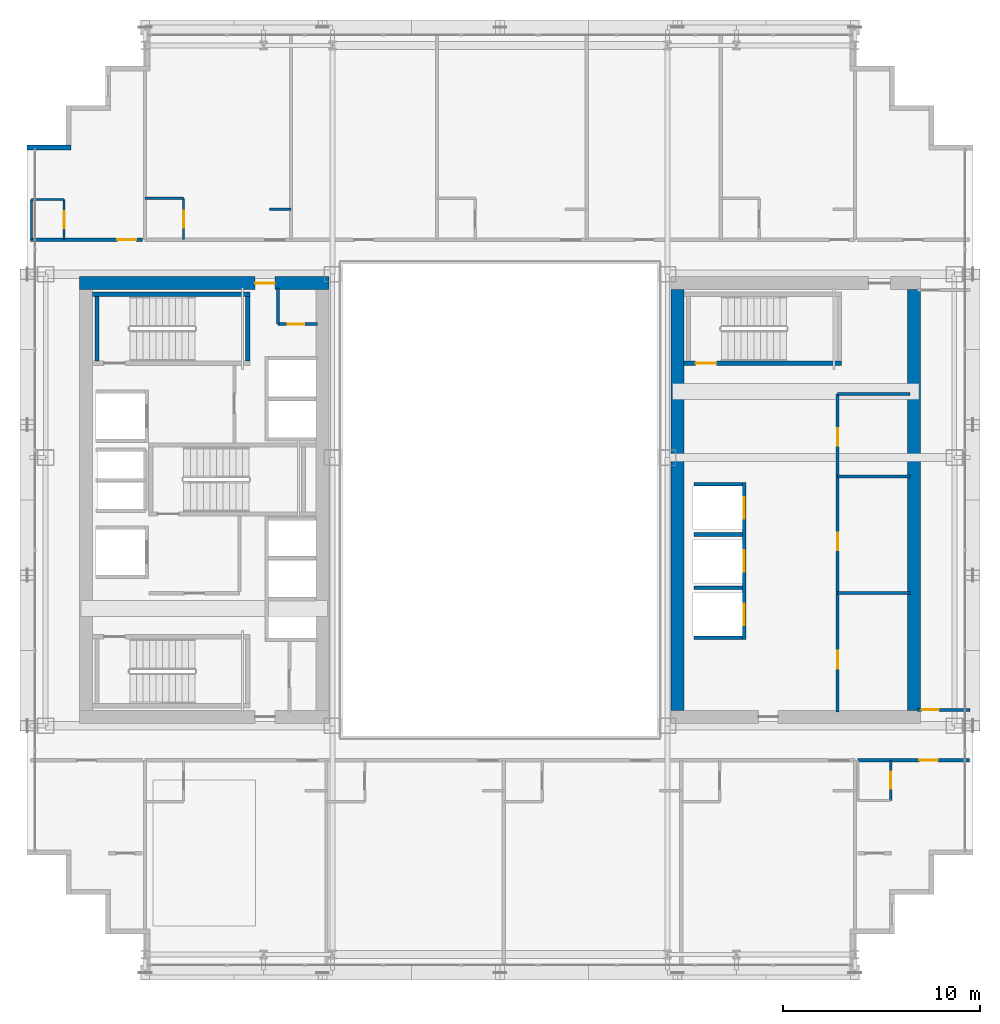
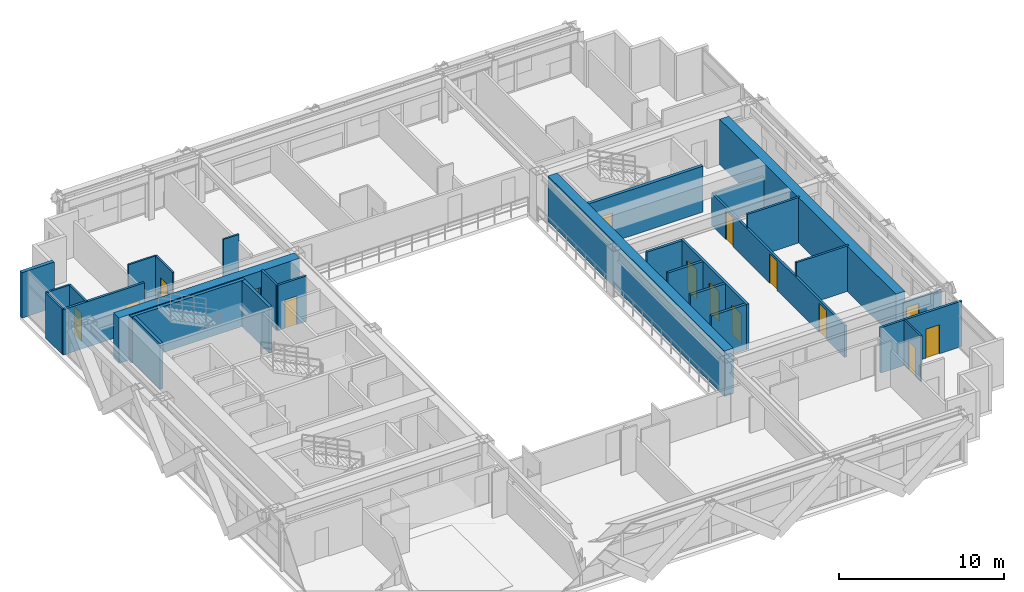
# One storey, part 29 of 35: 29 walls, 15 doors, 15 openings.
"""IFC4 building model written with IfcOpenShell, lengths in metres."""

from ifc_helpers import new_model, si_unit, direction, frame, frame_2d, origin, place, context, subcontext, project, spatial, rectangle, extrude, source, transform, mapped, material, layer, layer_set, type_object, element, fill, save


model = new_model("IFC4")

# Units and contexts
model_context = context("Model", 3, precision=1e-05, world=origin(), true_north=direction((0.0, 1.0)))
body_context = subcontext(model_context, "Body", "Model", "MODEL_VIEW")
ifc_project = project(units=[si_unit("LENGTHUNIT", "METRE"), si_unit("AREAUNIT", "SQUARE_METRE"), si_unit("VOLUMEUNIT", "CUBIC_METRE"), si_unit("PLANEANGLEUNIT", "RADIAN"), si_unit("MASSUNIT", "GRAM", prefix="KILO")], contexts=[model_context])

# Site, building, storey
site_placement = place(None, origin())
site = spatial("IfcSite", under=ifc_project, at=site_placement, CompositionType="ELEMENT")
building_placement = place(site_placement, origin())
building = spatial("IfcBuilding", under=site, at=building_placement, Name="Ocotamira Hotel", CompositionType="ELEMENT")
storey_placement = place(building_placement, frame((0.0, 0.0, 115.199951171875)))
storey = spatial("IfcBuildingStorey", under=building, at=storey_placement, Name="L28", CompositionType="ELEMENT", Elevation=115.199951171875)

# Wall, opening, door
ifc_material_1 = material(Name="Concrete C60/75", Category="concrete")
ifc_layer_1 = layer(ifc_material_1, 0.64990234375)
ifc_layer_set_1 = layer_set([ifc_layer_1], Name="Concrete C60/75")
wall_type_1 = type_object("IfcWallType", Name="WL-CORE-650", PredefinedType="SHEAR", material=ifc_layer_set_1)
wall_1_placement = place(storey_placement, frame((10.675048828125, 37.0, 0.0), z_axis=(0.0, 0.0, 1.0), x_axis=(1.0, 0.0, 0.0)))
wall_1 = element("IfcWall", 1, at=wall_1_placement, inside=storey, type_object=wall_type_1, Name="L28 Shear Core Wall WCORE-N", PredefinedType="SHEAR", context=body_context, shape_type="SweptSolid", body=[
    extrude(rectangle(XDim=12.64990234375, YDim=0.64990234375, at=frame_2d((6.324951171875, 0.0))), origin(), (0.0, 0.0, 1.0), 3.360107421875),
])
opening_1_placement = place(wall_1_placement, frame((8.905029296875, 0.0, 0.0)))
opening_1 = element("IfcOpeningElement", 2, at=opening_1_placement, cuts=wall_1, Name="Opening D-FR2", PredefinedType="OPENING", context=body_context, shape_type="SweptSolid", body=[
    extrude(rectangle(XDim=1.0, YDim=2.14990234375, at=frame_2d((0.5, 1.074951171875))), frame((0.0, 0.3349609375, 0.0), z_axis=(0.0, -1.0, 0.0), x_axis=(1.0, 0.0, 0.0)), (0.0, 0.0, 1.0), 0.669921875),
])
ifc_material_2 = material(Name="Fire-rated acoustic timber-veneer door", Category="wood")
door_type_1 = type_object("IfcDoorType", Name="DR-FIRE-1000", OperationType="NOTDEFINED", PredefinedType="DOOR", material=ifc_material_2)
shared_shape_1 = source(origin(), body_context, "Body", "SweptSolid", [
    extrude(rectangle(XDim=1.0, YDim=2.14990234375, at=frame_2d((0.5, 1.074951171875))), frame((0.0, 0.02490234375, 0.0), z_axis=(0.0, -1.0, 0.0), x_axis=(1.0, 0.0, 0.0)), (0.0, 0.0, 1.0), 0.050048828125),
])
door_1_placement = place(opening_1_placement, origin())
door_1 = element("IfcDoor", 3, at=door_1_placement, inside=storey, type_object=door_type_1, Name="L28 Door ID-L28-WLOB-N-D [ID-L28-WLOB-N-D]", OperationType="SINGLE_SWING_RIGHT", OverallHeight=2.14990234375, OverallWidth=1.0, PredefinedType="DOOR", context=body_context, shape_type="MappedRepresentation", body=[
    mapped(shared_shape_1, transform((0.0, 0.0, 0.0), scale=1.0)),
])
fill(opening_1, door_1)

# Walls
for number, where, z_axis, x_axis, name in (
    (4, (41.0, 15.324951171875, 0.0), (0.0, 0.0, 1.0), (0.0, 1.0, 0.0), "L28 Shear Core Wall ECORE-W"),
    (5, (53.0, 15.324951171875, 0.0), (0.0, 0.0, 1.0), (0.0, 1.0, 0.0), "L28 Shear Core Wall ECORE-E"),
):
    element("IfcWall", number, at=place(storey_placement, frame(where, z_axis=z_axis, x_axis=x_axis)), inside=storey, type_object=wall_type_1, Name=name, PredefinedType="SHEAR", context=body_context, shape_type="SweptSolid", body=[
        extrude(rectangle(XDim=21.35009765625, YDim=0.64990234375, at=frame_2d((10.675048828125, 0.0))), origin(), (0.0, 0.0, 1.0), 3.360107421875),
    ])
ifc_material_3 = material(Name="Precast concrete C45/55", Category="concrete")
ifc_layer_2 = layer(ifc_material_3, 0.25)
ifc_layer_set_2 = layer_set([ifc_layer_2], Name="Precast concrete C45/55")
wall_type_2 = type_object("IfcWallType", Name="WL-EXT-SER-250", PredefinedType="SOLIDWALL", material=ifc_layer_set_2)
wall_2_placement = place(storey_placement, frame((10.25, 43.875, 0.0), z_axis=(0.0, 0.0, 1.0), x_axis=(-1.0, 0.0, 0.0)))
element("IfcWall", 6, at=wall_2_placement, inside=storey, type_object=wall_type_2, Name="L28 Serrated Corner Wall 18", PredefinedType="SOLIDWALL", context=body_context, shape_type="SweptSolid", body=[
    extrude(rectangle(XDim=2.25, YDim=0.25, at=frame_2d((1.125, 0.0))), origin(), (0.0, 0.0, 1.0), 3.360107421875),
])
ifc_material_4 = material(Name="Acoustic double-layer fire gypsum board partition", Category="gypsum")
ifc_layer_3 = layer(ifc_material_4, 0.159912109375)
ifc_layer_set_3 = layer_set([ifc_layer_3], Name="Acoustic double-layer fire gypsum board partition")
wall_type_3 = type_object("IfcWallType", Name="WL-FIRE-160", PredefinedType="PARTITIONING", material=ifc_layer_set_3)
wall_3_placement = place(storey_placement, frame((49.1201171875, 31.3798828125, 0.0), z_axis=(0.0, 0.0, 1.0), x_axis=(1.0, 0.0, 0.0)))
element("IfcWall", 7, at=wall_3_placement, inside=storey, type_object=wall_type_3, Name="L28 Interior Wall PW-L28-EC-FLOW-N", PredefinedType="PARTITIONING", context=body_context, shape_type="SweptSolid", body=[
    extrude(rectangle(XDim=3.679931640625, YDim=0.159912109375, at=frame_2d((1.83984375, 0.0))), origin(), (0.0, 0.0, 1.0), 2.360107421875),
])

# Wall, openings, doors
wall_4_placement = place(storey_placement, frame((49.1201171875, 15.25, 0.0), z_axis=(0.0, 0.0, 1.0), x_axis=(0.0, 1.0, 0.0)))
wall_4 = element("IfcWall", 8, at=wall_4_placement, inside=storey, type_object=wall_type_3, Name="L28 Interior Wall PW-L28-EC-FLOW-W", PredefinedType="PARTITIONING", context=body_context, shape_type="SweptSolid", body=[
    extrude(rectangle(XDim=16.1298828125, YDim=0.159912109375, at=frame_2d((8.06494140625, 0.0))), origin(), (0.0, 0.0, 1.0), 2.360107421875),
])
opening_2_placement = place(wall_4_placement, frame((2.199951171875, 0.0, 0.0)))
opening_2 = element("IfcOpeningElement", 9, at=opening_2_placement, cuts=wall_4, Name="Opening D-IN3", PredefinedType="OPENING", context=body_context, shape_type="SweptSolid", body=[
    extrude(rectangle(XDim=0.89990234375, YDim=2.14990234375, at=frame_2d((0.449951171875, 1.074951171875))), frame((0.0, 0.08984375, 0.0), z_axis=(0.0, -1.0, 0.0), x_axis=(1.0, 0.0, 0.0)), (0.0, 0.0, 1.0), 0.179931640625),
])
opening_3_placement = place(wall_4_placement, frame((8.199951171875, 0.0, 0.0)))
opening_3 = element("IfcOpeningElement", 10, at=opening_3_placement, cuts=wall_4, Name="Opening D-IN3", PredefinedType="OPENING", context=body_context, shape_type="SweptSolid", body=[
    extrude(rectangle(XDim=0.89990234375, YDim=2.14990234375, at=frame_2d((0.449951171875, 1.074951171875))), frame((0.0, 0.08984375, 0.0), z_axis=(0.0, -1.0, 0.0), x_axis=(1.0, 0.0, 0.0)), (0.0, 0.0, 1.0), 0.179931640625),
])
opening_4_placement = place(wall_4_placement, frame((13.5, 0.0, 0.0)))
opening_4 = element("IfcOpeningElement", 11, at=opening_4_placement, cuts=wall_4, Name="Opening D-IN3", PredefinedType="OPENING", context=body_context, shape_type="SweptSolid", body=[
    extrude(rectangle(XDim=0.89990234375, YDim=2.14990234375, at=frame_2d((0.449951171875, 1.074951171875))), frame((0.0, 0.08984375, 0.0), z_axis=(0.0, -1.0, 0.0), x_axis=(1.0, 0.0, 0.0)), (0.0, 0.0, 1.0), 0.179931640625),
])
ifc_material_5 = material(Name="Painted service room door", Category="steel")
door_type_2 = type_object("IfcDoorType", Name="DR-INT-900", OperationType="NOTDEFINED", PredefinedType="DOOR", material=ifc_material_5)
shared_shape_2 = source(origin(), body_context, "Body", "SweptSolid", [
    extrude(rectangle(XDim=0.89990234375, YDim=2.14990234375, at=frame_2d((0.449951171875, 1.074951171875))), frame((0.0, 0.02490234375, 0.0), z_axis=(0.0, -1.0, 0.0), x_axis=(1.0, 0.0, 0.0)), (0.0, 0.0, 1.0), 0.050048828125),
])
door_2_placement = place(opening_2_placement, origin())
door_2 = element("IfcDoor", 12, at=door_2_placement, inside=storey, type_object=door_type_2, Name="L28 Door ID-L28-EC-FLOW-D1 [ID-L28-EC-FLOW-D1]", OperationType="SINGLE_SWING_LEFT", OverallHeight=2.14990234375, OverallWidth=0.89990234375, PredefinedType="DOOR", context=body_context, shape_type="MappedRepresentation", body=[
    mapped(shared_shape_2, transform((0.0, 0.0, 0.0), scale=1.0)),
])
fill(opening_2, door_2)
door_3_placement = place(opening_3_placement, origin())
door_3 = element("IfcDoor", 13, at=door_3_placement, inside=storey, type_object=door_type_2, Name="L28 Door ID-L28-EC-FLOW-D2 [ID-L28-EC-FLOW-D2]", OperationType="SINGLE_SWING_RIGHT", OverallHeight=2.14990234375, OverallWidth=0.89990234375, PredefinedType="DOOR", context=body_context, shape_type="MappedRepresentation", body=[
    mapped(shared_shape_2, transform((0.0, 0.0, 0.0), scale=1.0)),
])
fill(opening_3, door_3)
door_4_placement = place(opening_4_placement, origin())
door_4 = element("IfcDoor", 14, at=door_4_placement, inside=storey, type_object=door_type_2, Name="L28 Door ID-L28-EC-FLOW-D3 [ID-L28-EC-FLOW-D3]", OperationType="SINGLE_SWING_LEFT", OverallHeight=2.14990234375, OverallWidth=0.89990234375, PredefinedType="DOOR", context=body_context, shape_type="MappedRepresentation", body=[
    mapped(shared_shape_2, transform((0.0, 0.0, 0.0), scale=1.0)),
])
fill(opening_4, door_4)

# Wall, opening, door
wall_5_placement = place(storey_placement, frame((50.1201171875, 12.800048828125, 0.0), z_axis=(0.0, 0.0, 1.0), x_axis=(1.0, 0.0, 0.0)))
wall_5 = element("IfcWall", 15, at=wall_5_placement, inside=storey, type_object=wall_type_3, Name="L28 Interior Wall PW-L28-Z2B-CSE-CW", PredefinedType="PARTITIONING", context=body_context, shape_type="SweptSolid", body=[
    extrude(rectangle(XDim=5.679931640625, YDim=0.159912109375, at=frame_2d((2.83984375, 0.0))), origin(), (0.0, 0.0, 1.0), 3.360107421875),
])
opening_5_placement = place(wall_5_placement, frame((3.14990234375, 0.0, 0.0)))
opening_5 = element("IfcOpeningElement", 16, at=opening_5_placement, cuts=wall_5, Name="Opening D-GR1", PredefinedType="OPENING", context=body_context, shape_type="SweptSolid", body=[
    extrude(rectangle(XDim=0.93994140625, YDim=2.14990234375, at=frame_2d((0.469970703125, 1.074951171875))), frame((0.0, 0.08984375, 0.0), z_axis=(0.0, -1.0, 0.0), x_axis=(1.0, 0.0, 0.0)), (0.0, 0.0, 1.0), 0.179931640625),
])
ifc_material_6 = material(Name="Solid-core walnut suite entrance fire door", Category="wood")
door_type_3 = type_object("IfcDoorType", Name="DR-GUEST-940", OperationType="NOTDEFINED", PredefinedType="DOOR", material=ifc_material_6)
shared_shape_3 = source(origin(), body_context, "Body", "SweptSolid", [
    extrude(rectangle(XDim=0.93994140625, YDim=2.14990234375, at=frame_2d((0.469970703125, 1.074951171875))), frame((0.0, 0.02490234375, 0.0), z_axis=(0.0, -1.0, 0.0), x_axis=(1.0, 0.0, 0.0)), (0.0, 0.0, 1.0), 0.050048828125),
])
door_5_placement = place(opening_5_placement, origin())
door_5 = element("IfcDoor", 17, at=door_5_placement, inside=storey, type_object=door_type_3, Name="L28 Door ID-L28-Z2B-CSE-CD [ID-L28-Z2B-CSE-CD]", OperationType="SINGLE_SWING_RIGHT", OverallHeight=2.14990234375, OverallWidth=0.93994140625, PredefinedType="DOOR", context=body_context, shape_type="MappedRepresentation", body=[
    mapped(shared_shape_3, transform((0.0, 0.0, 0.0), scale=1.0)),
])
fill(opening_5, door_5)

wall_6_placement = place(storey_placement, frame((8.199951171875, 39.199951171875, 0.0), z_axis=(0.0, 0.0, 1.0), x_axis=(1.0, 0.0, 0.0)))
wall_6 = element("IfcWall", 18, at=wall_6_placement, inside=storey, type_object=wall_type_3, Name="L28 Interior Wall PW-L28-Z2B-CNW-CW", PredefinedType="PARTITIONING", context=body_context, shape_type="SweptSolid", body=[
    extrude(rectangle(XDim=5.679931640625, YDim=0.159912109375, at=frame_2d((2.83984375, 0.0))), origin(), (0.0, 0.0, 1.0), 3.360107421875),
])
opening_6_placement = place(wall_6_placement, frame((4.39990234375, 0.0, 0.0)))
opening_6 = element("IfcOpeningElement", 19, at=opening_6_placement, cuts=wall_6, Name="Opening D-GR1", PredefinedType="OPENING", context=body_context, shape_type="SweptSolid", body=[
    extrude(rectangle(XDim=0.93994140625, YDim=2.14990234375, at=frame_2d((0.469970703125, 1.074951171875))), frame((0.0, 0.08984375, 0.0), z_axis=(0.0, -1.0, 0.0), x_axis=(1.0, 0.0, 0.0)), (0.0, 0.0, 1.0), 0.179931640625),
])
door_6_placement = place(opening_6_placement, origin())
door_6 = element("IfcDoor", 20, at=door_6_placement, inside=storey, type_object=door_type_3, Name="L28 Door ID-L28-Z2B-CNW-CD [ID-L28-Z2B-CNW-CD]", OperationType="SINGLE_SWING_RIGHT", OverallHeight=2.14990234375, OverallWidth=0.93994140625, PredefinedType="DOOR", context=body_context, shape_type="MappedRepresentation", body=[
    mapped(shared_shape_3, transform((0.0, 0.0, 0.0), scale=1.0)),
])
fill(opening_6, door_6)

ifc_material_7 = material(Name="Moisture-resistant en-suite tile and gypsum partition", Category="gypsum")
ifc_layer_4 = layer(ifc_material_7, 0.1201171875)
ifc_layer_set_4 = layer_set([ifc_layer_4], Name="Moisture-resistant en-suite tile and gypsum partition")
wall_type_4 = type_object("IfcWallType", Name="WL-PART-120", PredefinedType="PARTITIONING", material=ifc_layer_set_4)
wall_7_placement = place(storey_placement, frame((51.81005859375, 10.760009765625, 0.0), z_axis=(0.0, 0.0, 1.0), x_axis=(0.0, 1.0, 0.0)))
wall_7 = element("IfcWall", 21, at=wall_7_placement, inside=storey, type_object=wall_type_4, Name="L28 Interior Wall PW-L28-Z2B-CSE-BE", PredefinedType="PARTITIONING", context=body_context, shape_type="SweptSolid", body=[
    extrude(rectangle(XDim=2.0400390625, YDim=0.1201171875, at=frame_2d((1.02001953125, 0.0))), origin(), (0.0, 0.0, 1.0), 3.360107421875),
])
opening_7_placement = place(wall_7_placement, frame((0.590087890625, 0.0, 0.0)))
opening_7 = element("IfcOpeningElement", 22, at=opening_7_placement, cuts=wall_7, Name="Opening D-BA1", PredefinedType="OPENING", context=body_context, shape_type="SweptSolid", body=[
    extrude(rectangle(XDim=0.860107421875, YDim=2.10009765625, at=frame_2d((0.43017578125, 1.050048828125))), frame((0.0, 0.070068359375, 0.0), z_axis=(0.0, -1.0, 0.0), x_axis=(1.0, 0.0, 0.0)), (0.0, 0.0, 1.0), 0.14013671875),
])
ifc_material_8 = material(Name="Moisture-sealed en-suite timber door", Category="wood")
door_type_4 = type_object("IfcDoorType", Name="DR-BATH-860", OperationType="NOTDEFINED", PredefinedType="DOOR", material=ifc_material_8)
shared_shape_4 = source(origin(), body_context, "Body", "SweptSolid", [
    extrude(rectangle(XDim=0.860107421875, YDim=2.10009765625, at=frame_2d((0.43017578125, 1.050048828125))), frame((0.0, 0.02490234375, 0.0), z_axis=(0.0, -1.0, 0.0), x_axis=(1.0, 0.0, 0.0)), (0.0, 0.0, 1.0), 0.050048828125),
])
door_7_placement = place(opening_7_placement, origin())
door_7 = element("IfcDoor", 23, at=door_7_placement, inside=storey, type_object=door_type_4, Name="L28 Door ID-L28-Z2B-CSE-BD [ID-L28-Z2B-CSE-BD]", OperationType="SINGLE_SWING_LEFT", OverallHeight=2.10009765625, OverallWidth=0.860107421875, PredefinedType="DOOR", context=body_context, shape_type="MappedRepresentation", body=[
    mapped(shared_shape_4, transform((0.0, 0.0, 0.0), scale=1.0)),
])
fill(opening_7, door_7)

wall_8_placement = place(storey_placement, frame((9.889892578125, 39.199951171875, 0.0), z_axis=(0.0, 0.0, 1.0), x_axis=(0.0, 1.0, 0.0)))
wall_8 = element("IfcWall", 24, at=wall_8_placement, inside=storey, type_object=wall_type_4, Name="L28 Interior Wall PW-L28-Z2B-CNW-BE", PredefinedType="PARTITIONING", context=body_context, shape_type="SweptSolid", body=[
    extrude(rectangle(XDim=2.0400390625, YDim=0.1201171875, at=frame_2d((1.02001953125, 0.0))), origin(), (0.0, 0.0, 1.0), 3.360107421875),
])
opening_8_placement = place(wall_8_placement, frame((0.590087890625, 0.0, 0.0)))
opening_8 = element("IfcOpeningElement", 25, at=opening_8_placement, cuts=wall_8, Name="Opening D-BA1", PredefinedType="OPENING", context=body_context, shape_type="SweptSolid", body=[
    extrude(rectangle(XDim=0.860107421875, YDim=2.10009765625, at=frame_2d((0.43017578125, 1.050048828125))), frame((0.0, 0.070068359375, 0.0), z_axis=(0.0, -1.0, 0.0), x_axis=(1.0, 0.0, 0.0)), (0.0, 0.0, 1.0), 0.14013671875),
])
door_8_placement = place(opening_8_placement, origin())
door_8 = element("IfcDoor", 26, at=door_8_placement, inside=storey, type_object=door_type_4, Name="L28 Door ID-L28-Z2B-CNW-BD [ID-L28-Z2B-CNW-BD]", OperationType="SINGLE_SWING_LEFT", OverallHeight=2.10009765625, OverallWidth=0.860107421875, PredefinedType="DOOR", context=body_context, shape_type="MappedRepresentation", body=[
    mapped(shared_shape_4, transform((0.0, 0.0, 0.0), scale=1.0)),
])
fill(opening_8, door_8)

# Walls
wall_9_placement = place(storey_placement, frame((8.239990234375, 39.199951171875, 0.0), z_axis=(0.0, 0.0, 1.0), x_axis=(0.0, 1.0, 0.0)))
element("IfcWall", 27, at=wall_9_placement, inside=storey, type_object=wall_type_4, Name="L28 Interior Wall PW-L28-Z2B-CNW-BW", PredefinedType="PARTITIONING", context=body_context, shape_type="SweptSolid", body=[
    extrude(rectangle(XDim=2.0400390625, YDim=0.1201171875, at=frame_2d((1.02001953125, 0.0))), origin(), (0.0, 0.0, 1.0), 3.360107421875),
])
wall_10_placement = place(storey_placement, frame((8.239990234375, 41.239990234375, 0.0), z_axis=(0.0, 0.0, 1.0), x_axis=(1.0, 0.0, 0.0)))
element("IfcWall", 28, at=wall_10_placement, inside=storey, type_object=wall_type_4, Name="L28 Interior Wall PW-L28-Z2B-CNW-BH", PredefinedType="PARTITIONING", context=body_context, shape_type="SweptSolid", body=[
    extrude(rectangle(XDim=1.64990234375, YDim=0.1201171875, at=frame_2d((0.824951171875, 0.0))), origin(), (0.0, 0.0, 1.0), 3.360107421875),
])

# Wall, opening, door
wall_11_placement = place(storey_placement, frame((15.949951171875, 39.199951171875, 0.0), z_axis=(0.0, 0.0, 1.0), x_axis=(0.0, 1.0, 0.0)))
wall_11 = element("IfcWall", 29, at=wall_11_placement, inside=storey, type_object=wall_type_4, Name="L28 Interior Wall PW-L28-Z2BN-BAE1", PredefinedType="PARTITIONING", context=body_context, shape_type="SweptSolid", body=[
    extrude(rectangle(XDim=2.10009765625, YDim=0.1201171875, at=frame_2d((1.050048828125, 0.0))), origin(), (0.0, 0.0, 1.0), 3.360107421875),
])
opening_9_placement = place(wall_11_placement, frame((0.6201171875, 0.0, 0.0)))
opening_9 = element("IfcOpeningElement", 30, at=opening_9_placement, cuts=wall_11, Name="Opening D-BA1", PredefinedType="OPENING", context=body_context, shape_type="SweptSolid", body=[
    extrude(rectangle(XDim=0.860107421875, YDim=2.10009765625, at=frame_2d((0.43017578125, 1.050048828125))), frame((0.0, 0.070068359375, 0.0), z_axis=(0.0, -1.0, 0.0), x_axis=(1.0, 0.0, 0.0)), (0.0, 0.0, 1.0), 0.14013671875),
])
door_9_placement = place(opening_9_placement, origin())
door_9 = element("IfcDoor", 31, at=door_9_placement, inside=storey, type_object=door_type_4, Name="L28 Door ID-L28-Z2BN-BAD1 [ID-L28-Z2BN-BAD1]", OperationType="SINGLE_SWING_RIGHT", OverallHeight=2.10009765625, OverallWidth=0.860107421875, PredefinedType="DOOR", context=body_context, shape_type="MappedRepresentation", body=[
    mapped(shared_shape_4, transform((0.0, 0.0, 0.0), scale=1.0)),
])
fill(opening_9, door_9)

# Walls
wall_12_placement = place(storey_placement, frame((14.0, 41.300048828125, 0.0), z_axis=(0.0, 0.0, 1.0), x_axis=(1.0, 0.0, 0.0)))
element("IfcWall", 32, at=wall_12_placement, inside=storey, type_object=wall_type_4, Name="L28 Interior Wall PW-L28-Z2BN-BAN1", PredefinedType="PARTITIONING", context=body_context, shape_type="SweptSolid", body=[
    extrude(rectangle(XDim=1.949951171875, YDim=0.1201171875, at=frame_2d((0.97509765625, 0.0))), origin(), (0.0, 0.0, 1.0), 3.360107421875),
])
wall_13_placement = place(storey_placement, frame((20.300048828125, 40.75, 0.0), z_axis=(0.0, 0.0, 1.0), x_axis=(1.0, 0.0, 0.0)))
element("IfcWall", 33, at=wall_13_placement, inside=storey, type_object=wall_type_4, Name="L28 Interior Wall PW-L28-Z2BN-DRN1", PredefinedType="PARTITIONING", context=body_context, shape_type="SweptSolid", body=[
    extrude(rectangle(XDim=1.099853515625, YDim=0.1201171875, at=frame_2d((0.5498046875, 0.0))), origin(), (0.0, 0.0, 1.0), 3.360107421875),
])
ifc_material_9 = material(Name="Acoustic hospitality gypsum board partition", Category="gypsum")
ifc_layer_5 = layer(ifc_material_9, 0.14208984375)
ifc_layer_set_5 = layer_set([ifc_layer_5], Name="Acoustic hospitality gypsum board partition")
wall_type_5 = type_object("IfcWallType", Name="WL-PART-142", PredefinedType="PARTITIONING", material=ifc_layer_set_5)
wall_14_placement = place(storey_placement, frame((20.739990234375, 34.919921875, 0.0), z_axis=(0.0, 0.0, 1.0), x_axis=(0.0, 1.0, 0.0)))
element("IfcWall", 34, at=wall_14_placement, inside=storey, type_object=wall_type_5, Name="L28 Interior Wall PW-L28-WC-NE-W1", PredefinedType="PARTITIONING", context=body_context, shape_type="SweptSolid", body=[
    extrude(rectangle(XDim=1.830078125, YDim=0.14208984375, at=frame_2d((0.9150390625, 0.0))), origin(), (0.0, 0.0, 1.0), 3.360107421875),
])

# Wall, opening, door
wall_15_placement = place(storey_placement, frame((20.739990234375, 34.919921875, 0.0), z_axis=(0.0, 0.0, 1.0), x_axis=(1.0, 0.0, 0.0)))
wall_15 = element("IfcWall", 35, at=wall_15_placement, inside=storey, type_object=wall_type_5, Name="L28 Interior Wall PW-L28-WC-NE-S1", PredefinedType="PARTITIONING", context=body_context, shape_type="SweptSolid", body=[
    extrude(rectangle(XDim=2.010009765625, YDim=0.14208984375, at=frame_2d((1.0048828125, 0.0))), origin(), (0.0, 0.0, 1.0), 3.360107421875),
])
opening_10_placement = place(wall_15_placement, frame((0.5, 0.0, 0.0)))
opening_10 = element("IfcOpeningElement", 36, at=opening_10_placement, cuts=wall_15, Name="Opening D-SV1", PredefinedType="OPENING", context=body_context, shape_type="SweptSolid", body=[
    extrude(rectangle(XDim=0.840087890625, YDim=2.10009765625, at=frame_2d((0.419921875, 1.050048828125))), frame((0.0, 0.0810546875, 0.0), z_axis=(0.0, -1.0, 0.0), x_axis=(1.0, 0.0, 0.0)), (0.0, 0.0, 1.0), 0.162109375),
])
ifc_material_10 = material(Name="Fire-rated painted steel service door", Category="steel")
door_type_5 = type_object("IfcDoorType", Name="DR-SERV-840", OperationType="NOTDEFINED", PredefinedType="DOOR", material=ifc_material_10)
shared_shape_5 = source(origin(), body_context, "Body", "SweptSolid", [
    extrude(rectangle(XDim=0.840087890625, YDim=2.10009765625, at=frame_2d((0.419921875, 1.050048828125))), frame((0.0, 0.02490234375, 0.0), z_axis=(0.0, -1.0, 0.0), x_axis=(1.0, 0.0, 0.0)), (0.0, 0.0, 1.0), 0.050048828125),
])
door_10_placement = place(opening_10_placement, origin())
door_10 = element("IfcDoor", 37, at=door_10_placement, inside=storey, type_object=door_type_5, Name="L28 Door ID-L28-WC-NE-D1 [ID-L28-WC-NE-D1]", OperationType="SINGLE_SWING_LEFT", OverallHeight=2.10009765625, OverallWidth=0.840087890625, PredefinedType="DOOR", context=body_context, shape_type="MappedRepresentation", body=[
    mapped(shared_shape_5, transform((0.0, 0.0, 0.0), scale=1.0)),
])
fill(opening_10, door_10)

# Walls
ifc_layer_6 = layer(ifc_material_9, 0.14990234375)
ifc_layer_set_6 = layer_set([ifc_layer_6], Name="Acoustic hospitality gypsum board partition")
wall_type_6 = type_object("IfcWallType", Name="WL-PART-150", PredefinedType="PARTITIONING", material=ifc_layer_set_6)
for number, where, z_axis, x_axis, name in (
    (38, (49.1201171875, 21.2900390625, 0.0), (0.0, 0.0, 1.0), (1.0, 0.0, 0.0), "L28 Interior Wall PW-L28-EC-FDIV1"),
    (39, (49.1201171875, 27.18994140625, 0.0), (0.0, 0.0, 1.0), (1.0, 0.0, 0.0), "L28 Interior Wall PW-L28-EC-FDIV2"),
):
    element("IfcWall", number, at=place(storey_placement, frame(where, z_axis=z_axis, x_axis=x_axis)), inside=storey, type_object=wall_type_6, Name=name, PredefinedType="PARTITIONING", context=body_context, shape_type="SweptSolid", body=[
        extrude(rectangle(XDim=3.679931640625, YDim=0.14990234375, at=frame_2d((1.83984375, 0.0))), origin(), (0.0, 0.0, 1.0), 3.360107421875),
    ])

# Wall, opening, door
wall_16_placement = place(storey_placement, frame((53.179931640625, 15.360107421875, 0.0), z_axis=(0.0, 0.0, 1.0), x_axis=(1.0, 0.0, 0.0)))
wall_16 = element("IfcWall", 40, at=wall_16_placement, inside=storey, type_object=wall_type_6, Name="L28 Interior Wall PW-L28-Z2B-EF-WS", PredefinedType="PARTITIONING", context=body_context, shape_type="SweptSolid", body=[
    extrude(rectangle(XDim=2.66015625, YDim=0.14990234375, at=frame_2d((1.330078125, 0.0))), origin(), (0.0, 0.0, 1.0), 2.5810546875),
])
opening_11_placement = place(wall_16_placement, frame((0.199951171875, 0.0, 0.0)))
opening_11 = element("IfcOpeningElement", 41, at=opening_11_placement, cuts=wall_16, Name="Opening D-SV2", PredefinedType="OPENING", context=body_context, shape_type="SweptSolid", body=[
    extrude(rectangle(XDim=0.8798828125, YDim=2.14990234375, at=frame_2d((0.43994140625, 1.074951171875))), frame((0.0, 0.0849609375, 0.0), z_axis=(0.0, -1.0, 0.0), x_axis=(1.0, 0.0, 0.0)), (0.0, 0.0, 1.0), 0.169921875),
])
door_type_6 = type_object("IfcDoorType", Name="DR-SERV-880", OperationType="NOTDEFINED", PredefinedType="DOOR", material=ifc_material_10)
shared_shape_6 = source(origin(), body_context, "Body", "SweptSolid", [
    extrude(rectangle(XDim=0.8798828125, YDim=2.14990234375, at=frame_2d((0.43994140625, 1.074951171875))), frame((0.0, 0.02490234375, 0.0), z_axis=(0.0, -1.0, 0.0), x_axis=(1.0, 0.0, 0.0)), (0.0, 0.0, 1.0), 0.050048828125),
])
door_11_placement = place(opening_11_placement, origin())
door_11 = element("IfcDoor", 42, at=door_11_placement, inside=storey, type_object=door_type_6, Name="L28 Door ID-L28-Z2B-EF-DS [ID-L28-Z2B-EF-DS]", OperationType="SINGLE_SWING_RIGHT", OverallHeight=2.14990234375, OverallWidth=0.8798828125, PredefinedType="DOOR", context=body_context, shape_type="MappedRepresentation", body=[
    mapped(shared_shape_6, transform((0.0, 0.0, 0.0), scale=1.0)),
])
fill(opening_11, door_11)

# Wall, openings, doors
ifc_material_11 = material(Name="Fire-rated gypsum shaftliner board assembly", Category="gypsum")
ifc_layer_7 = layer(ifc_material_11, 0.179931640625)
ifc_layer_set_7 = layer_set([ifc_layer_7], Name="Fire-rated gypsum shaftliner board assembly")
wall_type_7 = type_object("IfcWallType", Name="WL-SHAFT-180", PredefinedType="SOLIDWALL", material=ifc_layer_set_7)
wall_17_placement = place(storey_placement, frame((44.389892578125, 18.919921875, 0.0), z_axis=(0.0, 0.0, 1.0), x_axis=(0.0, 1.0, 0.0)))
wall_17 = element("IfcWall", 43, at=wall_17_placement, inside=storey, type_object=wall_type_7, Name="L28 Interior Wall PW-L28-LFW-BANK-mid-F", PredefinedType="SOLIDWALL", context=body_context, shape_type="SweptSolid", body=[
    extrude(rectangle(XDim=7.9599609375, YDim=0.179931640625, at=frame_2d((3.97998046875, 0.0))), origin(), (0.0, 0.0, 1.0), 3.360107421875),
])
opening_12_placement = place(wall_17_placement, frame((0.72998046875, 0.0, 0.0)))
opening_12 = element("IfcOpeningElement", 44, at=opening_12_placement, cuts=wall_17, Name="Opening LD-LF-P4", PredefinedType="OPENING", context=body_context, shape_type="SweptSolid", body=[
    extrude(rectangle(XDim=1.10009765625, YDim=2.199951171875, at=frame_2d((0.550048828125, 1.10009765625))), frame((0.0, 0.10009765625, 0.0), z_axis=(0.0, -1.0, 0.0), x_axis=(1.0, 0.0, 0.0)), (0.0, 0.0, 1.0), 0.199951171875),
])
opening_13_placement = place(wall_17_placement, frame((3.429931640625, 0.0, 0.0)))
opening_13 = element("IfcOpeningElement", 45, at=opening_13_placement, cuts=wall_17, Name="Opening LD-LF-P5", PredefinedType="OPENING", context=body_context, shape_type="SweptSolid", body=[
    extrude(rectangle(XDim=1.10009765625, YDim=2.199951171875, at=frame_2d((0.550048828125, 1.10009765625))), frame((0.0, 0.10009765625, 0.0), z_axis=(0.0, -1.0, 0.0), x_axis=(1.0, 0.0, 0.0)), (0.0, 0.0, 1.0), 0.199951171875),
])
opening_14_placement = place(wall_17_placement, frame((6.1298828125, 0.0, 0.0)))
opening_14 = element("IfcOpeningElement", 46, at=opening_14_placement, cuts=wall_17, Name="Opening LD-LF-P6", PredefinedType="OPENING", context=body_context, shape_type="SweptSolid", body=[
    extrude(rectangle(XDim=1.10009765625, YDim=2.199951171875, at=frame_2d((0.550048828125, 1.10009765625))), frame((0.0, 0.10009765625, 0.0), z_axis=(0.0, -1.0, 0.0), x_axis=(1.0, 0.0, 0.0)), (0.0, 0.0, 1.0), 0.199951171875),
])
ifc_material_12 = material(Name="Brushed pale-metal stainless elevator landing door", Category="steel")
door_type_7 = type_object("IfcDoorType", Name="DR-LIFT-1100", OperationType="NOTDEFINED", PredefinedType="DOOR", material=ifc_material_12)
shared_shape_7 = source(origin(), body_context, "Body", "SweptSolid", [
    extrude(rectangle(XDim=1.10009765625, YDim=2.199951171875, at=frame_2d((0.550048828125, 1.10009765625))), frame((0.0, 0.02490234375, 0.0), z_axis=(0.0, -1.0, 0.0), x_axis=(1.0, 0.0, 0.0)), (0.0, 0.0, 1.0), 0.050048828125),
])
door_12_placement = place(opening_12_placement, origin())
door_12 = element("IfcDoor", 47, at=door_12_placement, inside=storey, type_object=door_type_7, Name="L28 Landing Door LD-LF-P4 [ID-L28-LD-LF-P4]", OperationType="DOUBLE_DOOR_SLIDING", OverallHeight=2.199951171875, OverallWidth=1.10009765625, PredefinedType="DOOR", context=body_context, shape_type="MappedRepresentation", body=[
    mapped(shared_shape_7, transform((0.0, 0.0, 0.0), scale=1.0)),
])
fill(opening_12, door_12)
door_13_placement = place(opening_13_placement, origin())
door_13 = element("IfcDoor", 48, at=door_13_placement, inside=storey, type_object=door_type_7, Name="L28 Landing Door LD-LF-P5 [ID-L28-LD-LF-P5]", OperationType="DOUBLE_DOOR_SLIDING", OverallHeight=2.199951171875, OverallWidth=1.10009765625, PredefinedType="DOOR", context=body_context, shape_type="MappedRepresentation", body=[
    mapped(shared_shape_7, transform((0.0, 0.0, 0.0), scale=1.0)),
])
fill(opening_13, door_13)
door_14_placement = place(opening_14_placement, origin())
door_14 = element("IfcDoor", 49, at=door_14_placement, inside=storey, type_object=door_type_7, Name="L28 Landing Door LD-LF-P6 [ID-L28-LD-LF-P6]", OperationType="DOUBLE_DOOR_SLIDING", OverallHeight=2.199951171875, OverallWidth=1.10009765625, PredefinedType="DOOR", context=body_context, shape_type="MappedRepresentation", body=[
    mapped(shared_shape_7, transform((0.0, 0.0, 0.0), scale=1.0)),
])
fill(opening_14, door_14)

# Walls
for number, where, z_axis, x_axis, name in (
    (50, (41.85009765625, 19.010009765625, 0.0), (0.0, 0.0, 1.0), (1.0, 0.0, 0.0), "L28 Interior Wall PW-L28-LFW-BANK-mid-S"),
    (51, (41.85009765625, 26.7900390625, 0.0), (0.0, 0.0, 1.0), (1.0, 0.0, 0.0), "L28 Interior Wall PW-L28-LFW-BANK-mid-N"),
    (52, (41.85009765625, 21.550048828125, 0.0), (0.0, 0.0, 1.0), (1.0, 0.0, 0.0), "L28 Interior Wall PW-L28-LFW-DIV-LF-P4"),
    (53, (41.85009765625, 24.25, 0.0), (0.0, 0.0, 1.0), (1.0, 0.0, 0.0), "L28 Interior Wall PW-L28-LFW-DIV-LF-P5"),
):
    element("IfcWall", number, at=place(storey_placement, frame(where, z_axis=z_axis, x_axis=x_axis)), inside=storey, type_object=wall_type_7, Name=name, PredefinedType="SOLIDWALL", context=body_context, shape_type="SweptSolid", body=[
        extrude(rectangle(XDim=2.449951171875, YDim=0.179931640625, at=frame_2d((1.22509765625, 0.0))), origin(), (0.0, 0.0, 1.0), 3.360107421875),
    ])
ifc_material_13 = material(Name="Concrete C50/60", Category="concrete")
ifc_layer_8 = layer(ifc_material_13, 0.219970703125)
ifc_layer_set_8 = layer_set([ifc_layer_8], Name="Concrete C50/60")
wall_type_8 = type_object("IfcWallType", Name="WL-STAIR-220", PredefinedType="SHEAR", material=ifc_layer_set_8)
wall_18_placement = place(storey_placement, frame((11.324951171875, 36.43994140625, 0.0), z_axis=(0.0, 0.0, 1.0), x_axis=(1.0, 0.0, 0.0)))
element("IfcWall", 54, at=wall_18_placement, inside=storey, type_object=wall_type_8, Name="L28 Stair Shaft Structural Wall ST-2-N", PredefinedType="SHEAR", context=body_context, shape_type="SweptSolid", body=[
    extrude(rectangle(XDim=7.985107421875, YDim=0.219970703125, at=frame_2d((3.99267578125, 0.0))), origin(), (0.0, 0.0, 1.0), 3.400146484375),
])
for number, where, z_axis, x_axis, name in (
    (55, (11.56005859375, 33.050048828125, 0.0), (0.0, 0.0, 1.0), (0.0, 1.0, 0.0), "L28 Stair Shaft Structural Wall ST-2-W"),
    (56, (19.199951171875, 33.050048828125, 0.0), (0.0, 0.0, 1.0), (0.0, 1.0, 0.0), "L28 Stair Shaft Structural Wall ST-2-E"),
):
    element("IfcWall", number, at=place(storey_placement, frame(where, z_axis=z_axis, x_axis=x_axis)), inside=storey, type_object=wall_type_8, Name=name, PredefinedType="SHEAR", context=body_context, shape_type="SweptSolid", body=[
        extrude(rectangle(XDim=3.280029296875, YDim=0.219970703125, at=frame_2d((1.64013671875, 0.0))), origin(), (0.0, 0.0, 1.0), 3.400146484375),
    ])

# Wall, opening, door
wall_19_placement = place(storey_placement, frame((41.324951171875, 32.93994140625, 0.0), z_axis=(0.0, 0.0, 1.0), x_axis=(1.0, 0.0, 0.0)))
wall_19 = element("IfcWall", 57, at=wall_19_placement, inside=storey, type_object=wall_type_8, Name="L28 Stair Shaft Structural Wall ST-4-S", PredefinedType="SHEAR", context=body_context, shape_type="SweptSolid", body=[
    extrude(rectangle(XDim=7.985107421875, YDim=0.219970703125, at=frame_2d((3.99267578125, 0.0))), origin(), (0.0, 0.0, 1.0), 3.400146484375),
])
opening_15_placement = place(wall_19_placement, frame((0.594970703125, 0.0, 0.0)))
opening_15 = element("IfcOpeningElement", 58, at=opening_15_placement, cuts=wall_19, Name="Opening D-ST2", PredefinedType="OPENING", context=body_context, shape_type="SweptSolid", body=[
    extrude(rectangle(XDim=1.050048828125, YDim=2.14990234375, at=frame_2d((0.52490234375, 1.074951171875))), frame((0.0, 0.1201171875, 0.0), z_axis=(0.0, -1.0, 0.0), x_axis=(1.0, 0.0, 0.0)), (0.0, 0.0, 1.0), 0.239990234375),
])
ifc_material_14 = material(Name="Insulated painted hollow-metal fire exit door", Category="steel")
door_type_8 = type_object("IfcDoorType", Name="DR-STAIR-1050", OperationType="NOTDEFINED", PredefinedType="DOOR", material=ifc_material_14)
shared_shape_8 = source(origin(), body_context, "Body", "SweptSolid", [
    extrude(rectangle(XDim=1.050048828125, YDim=2.14990234375, at=frame_2d((0.52490234375, 1.074951171875))), frame((0.0, 0.02490234375, 0.0), z_axis=(0.0, -1.0, 0.0), x_axis=(1.0, 0.0, 0.0)), (0.0, 0.0, 1.0), 0.050048828125),
])
door_15_placement = place(opening_15_placement, origin())
door_15 = element("IfcDoor", 59, at=door_15_placement, inside=storey, type_object=door_type_8, Name="L28 Door ID-L28-STD-ST-4 [ID-L28-STD-ST-4]", OperationType="SINGLE_SWING_RIGHT", OverallHeight=2.14990234375, OverallWidth=1.050048828125, PredefinedType="DOOR", context=body_context, shape_type="MappedRepresentation", body=[
    mapped(shared_shape_8, transform((0.0, 0.0, 0.0), scale=1.0)),
])
fill(opening_15, door_15)

save(model, "model.ifc")
